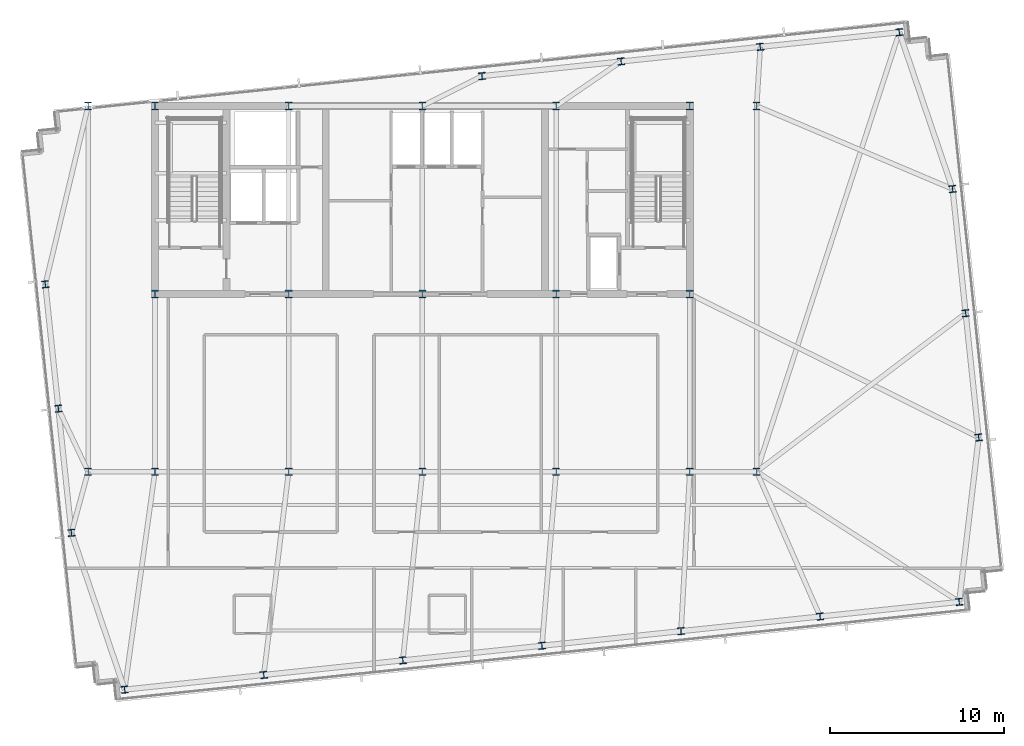
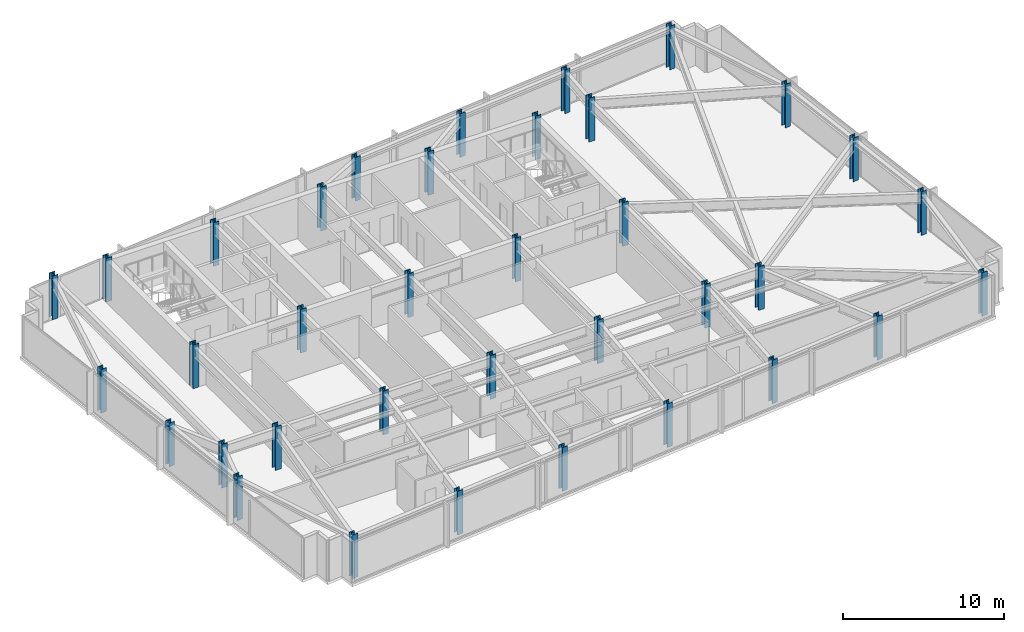
# One storey, part 1 of 32: 36 columns.
"""IFC4 building model written with IfcOpenShell, lengths in metres."""

from ifc_helpers import new_model, si_unit, direction, frame, origin, origin_2d, place, context, subcontext, project, spatial, i_section, extrude, material, material_profile, profile_set, type_object, element, save


model = new_model("IFC4")

# Units and contexts
model_context = context("Model", 3, precision=1e-05, world=origin(), true_north=direction((0.0, 1.0)))
body_context = subcontext(model_context, "Body", "Model", "MODEL_VIEW")
ifc_project = project(units=[si_unit("LENGTHUNIT", "METRE"), si_unit("AREAUNIT", "SQUARE_METRE"), si_unit("VOLUMEUNIT", "CUBIC_METRE"), si_unit("PLANEANGLEUNIT", "RADIAN"), si_unit("MASSUNIT", "GRAM", prefix="KILO")], contexts=[model_context])

# Site, building, storey
site_placement = place(None, origin())
site = spatial("IfcSite", under=ifc_project, at=site_placement, CompositionType="ELEMENT")
building_placement = place(site_placement, origin())
building = spatial("IfcBuilding", under=site, at=building_placement, Name="Yelkora Congress Tower", CompositionType="ELEMENT")
storey_placement = place(building_placement, frame((0.0, 0.0, 217.699951171875)))
storey = spatial("IfcBuildingStorey", under=building, at=storey_placement, Name="L60", CompositionType="ELEMENT", Elevation=217.699951171875)

# Columns
ifc_material_1 = material(Name="Steel S355J2", Category="steel")
ifc_material_profile_1 = material_profile(ifc_material_1, i_section(OverallWidth=0.40087890625, OverallDepth=0.39892578125, WebThickness=0.02490234375, FlangeThickness=0.03955078125, FilletRadius=0.014892578125, at=origin_2d()), Name="HD 400x314")
ifc_profile_set_1 = profile_set([ifc_material_profile_1], Name="Steel S355J2")
column_type_1 = type_object("IfcColumnType", Name="COL-HD-314-EXT", PredefinedType="COLUMN", material=ifc_profile_set_1)
for number, where, z_axis, x_axis, name in (
    (1, (21.299072265625, 12.678466796875, 0.0), (0.0, 0.0, 1.0), (0.994521895368, 0.104528463268, 0.0), "L60 Perimeter Column S01"),
    (2, (29.288330078125, 13.518310546875, 0.0), (0.0, 0.0, 1.0), (0.994521895368, 0.104528463268, 0.0), "L60 Perimeter Column S02"),
    (3, (37.277587890625, 14.35791015625, 0.0), (0.0, 0.0, 1.0), (0.994521895368, 0.104528463268, 0.0), "L60 Perimeter Column S03"),
    (4, (45.26708984375, 15.197509765625, 0.0), (0.0, 0.0, 1.0), (0.994521895368, 0.104528463268, 0.0), "L60 Perimeter Column S04"),
    (5, (53.25634765625, 16.037353515625, 0.0), (0.0, 0.0, 1.0), (0.994521895368, 0.104528463268, 0.0), "L60 Perimeter Column S05"),
    (6, (61.24560546875, 16.877197265625, 0.0), (0.0, 0.0, 1.0), (0.994521895368, 0.104528463268, 0.0), "L60 Perimeter Column S06"),
    (7, (69.235107421875, 17.716796875, 0.0), (0.0, 0.0, 1.0), (0.994521895368, 0.104528463268, 0.0), "L60 Perimeter Column S07"),
    (8, (41.828125, 47.91748046875, 0.0), (0.0, 0.0, 1.0), (0.994521895368, 0.104528463268, 0.0), "L60 Perimeter Column N04"),
    (9, (49.8173828125, 48.757080078125, 0.0), (0.0, 0.0, 1.0), (0.994521895368, 0.104528463268, 0.0), "L60 Perimeter Column N05"),
    (10, (57.806640625, 49.5966796875, 0.0), (0.0, 0.0, 1.0), (0.994521895368, 0.104528463268, 0.0), "L60 Perimeter Column N06"),
    (11, (65.7958984375, 50.4365234375, 0.0), (0.0, 0.0, 1.0), (0.994521895368, 0.104528463268, 0.0), "L60 Perimeter Column N07"),
    (12, (18.2412109375, 21.68310546875, 0.0), (0.0, 0.0, 1.0), (0.994521895368, 0.104528463268, 0.0), "L60 Perimeter Column W01"),
    (13, (70.35400390625, 27.160400390625, 0.0), (0.0, 0.0, 1.0), (0.994521895368, 0.104528463268, 0.0), "L60 Perimeter Column E01"),
    (14, (17.4912109375, 28.81884765625, 0.0), (0.0, 0.0, 1.0), (0.994521895368, 0.104528463268, 0.0), "L60 Perimeter Column W02"),
    (15, (69.60400390625, 34.296142578125, 0.0), (0.0, 0.0, 1.0), (0.994521895368, 0.104528463268, 0.0), "L60 Perimeter Column E02"),
    (16, (16.7412109375, 35.95458984375, 0.0), (0.0, 0.0, 1.0), (0.994521895368, 0.104528463268, 0.0), "L60 Perimeter Column W03"),
    (17, (68.85400390625, 41.431884765625, 0.0), (0.0, 0.0, 1.0), (0.994521895368, 0.104528463268, 0.0), "L60 Perimeter Column E03"),
):
    element("IfcColumn", number, at=place(storey_placement, frame(where, z_axis=z_axis, x_axis=x_axis)), inside=storey, type_object=column_type_1, Name=name, PredefinedType="COLUMN", context=body_context, shape_type="SweptSolid", body=[
        extrude(i_section(OverallWidth=0.40087890625, OverallDepth=0.39892578125, WebThickness=0.02490234375, FlangeThickness=0.03955078125, FilletRadius=0.014892578125, at=origin_2d()), origin(), (0.0, 0.0, 1.0), 3.300048828125),
    ])
ifc_material_2 = material(Name="Steel S460M", Category="steel")
ifc_material_profile_2 = material_profile(ifc_material_2, i_section(OverallWidth=0.412109375, OverallDepth=0.43505859375, WebThickness=0.035888671875, FlangeThickness=0.05810546875, FilletRadius=0.014892578125, at=origin_2d()), Name="HD 400x463")
ifc_profile_set_2 = profile_set([ifc_material_profile_2], Name="Steel S460M")
column_type_2 = type_object("IfcColumnType", Name="COL-HD-463", PredefinedType="COLUMN", material=ifc_profile_set_2)
for number, where, z_axis, x_axis, name in (
    (18, (23.0400390625, 35.39990234375, 0.0), (0.0, 0.0, 1.0), (1.0, 0.0, 0.0), "L60 Mega Column MC-S1"),
    (19, (23.0400390625, 46.199951171875, 0.0), (0.0, 0.0, 1.0), (1.0, 0.0, 0.0), "L60 Mega Column MC-N1"),
    (20, (23.0400390625, 25.199951171875, 0.0), (0.0, 0.0, 1.0), (1.0, 0.0, 0.0), "L60 Mega Column MC-D1"),
    (21, (30.719970703125, 35.39990234375, 0.0), (0.0, 0.0, 1.0), (1.0, 0.0, 0.0), "L60 Mega Column MC-S2"),
    (22, (30.719970703125, 46.199951171875, 0.0), (0.0, 0.0, 1.0), (1.0, 0.0, 0.0), "L60 Mega Column MC-N2"),
    (23, (30.719970703125, 25.199951171875, 0.0), (0.0, 0.0, 1.0), (1.0, 0.0, 0.0), "L60 Mega Column MC-D2"),
    (24, (38.39990234375, 35.39990234375, 0.0), (0.0, 0.0, 1.0), (1.0, 0.0, 0.0), "L60 Mega Column MC-S3"),
    (25, (38.39990234375, 46.199951171875, 0.0), (0.0, 0.0, 1.0), (1.0, 0.0, 0.0), "L60 Mega Column MC-N3"),
    (26, (38.39990234375, 25.199951171875, 0.0), (0.0, 0.0, 1.0), (1.0, 0.0, 0.0), "L60 Mega Column MC-D3"),
    (27, (46.080078125, 35.39990234375, 0.0), (0.0, 0.0, 1.0), (1.0, 0.0, 0.0), "L60 Mega Column MC-S4"),
    (28, (46.080078125, 46.199951171875, 0.0), (0.0, 0.0, 1.0), (1.0, 0.0, 0.0), "L60 Mega Column MC-N4"),
    (29, (46.080078125, 25.199951171875, 0.0), (0.0, 0.0, 1.0), (1.0, 0.0, 0.0), "L60 Mega Column MC-D4"),
    (30, (53.760009765625, 35.39990234375, 0.0), (0.0, 0.0, 1.0), (1.0, 0.0, 0.0), "L60 Mega Column MC-S5"),
    (31, (53.760009765625, 46.199951171875, 0.0), (0.0, 0.0, 1.0), (1.0, 0.0, 0.0), "L60 Mega Column MC-N5"),
    (32, (53.760009765625, 25.199951171875, 0.0), (0.0, 0.0, 1.0), (1.0, 0.0, 0.0), "L60 Mega Column MC-D5"),
    (33, (19.199951171875, 25.199951171875, 0.0), (0.0, 0.0, 1.0), (1.0, 0.0, 0.0), "L60 Mega Column MC-F1"),
    (34, (57.60009765625, 25.199951171875, 0.0), (0.0, 0.0, 1.0), (1.0, 0.0, 0.0), "L60 Mega Column MC-F2"),
    (35, (19.199951171875, 46.199951171875, 0.0), (0.0, 0.0, 1.0), (1.0, 0.0, 0.0), "L60 Mega Column MC-F3"),
    (36, (57.60009765625, 46.199951171875, 0.0), (0.0, 0.0, 1.0), (1.0, 0.0, 0.0), "L60 Mega Column MC-F4"),
):
    element("IfcColumn", number, at=place(storey_placement, frame(where, z_axis=z_axis, x_axis=x_axis)), inside=storey, type_object=column_type_2, Name=name, PredefinedType="COLUMN", context=body_context, shape_type="SweptSolid", body=[
        extrude(i_section(OverallWidth=0.412109375, OverallDepth=0.43505859375, WebThickness=0.035888671875, FlangeThickness=0.05810546875, FilletRadius=0.014892578125, at=origin_2d()), origin(), (0.0, 0.0, 1.0), 3.300048828125),
    ])

save(model, "model.ifc")
